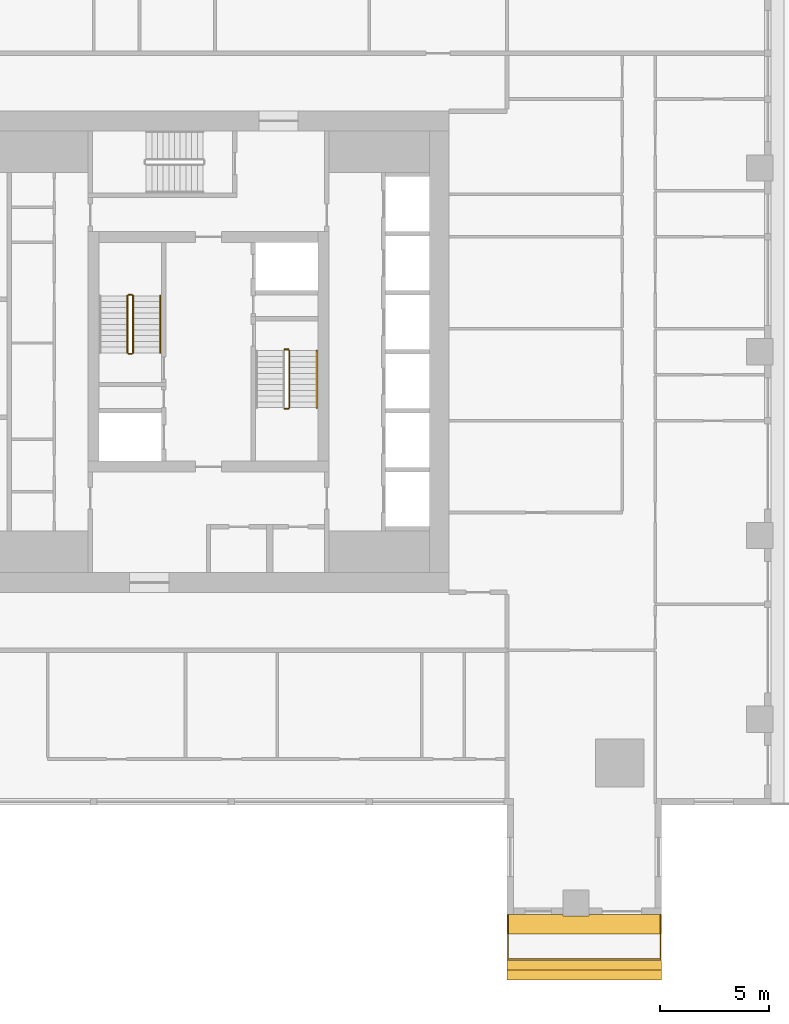
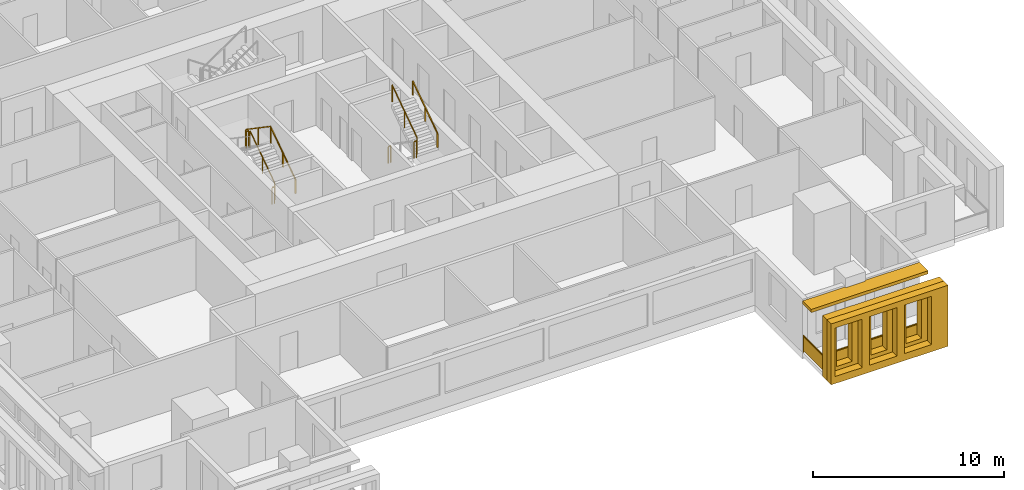
# One storey, part 11 of 14: 10 railings, 3 shading devices.
"""IFC4 building model written with IfcOpenShell, lengths in metres."""

from ifc_helpers import new_model, si_unit, direction, frame, origin, origin_2d, place, context, subcontext, project, spatial, polyline, rectangle, outline, extrude, material, layer, layer_set, type_object, element, save


model = new_model("IFC4")

# Units and contexts
model_context = context("Model", 3, precision=1e-05, world=origin(), true_north=direction((0.0, 1.0)))
body_context = subcontext(model_context, "Body", "Model", "MODEL_VIEW")
ifc_project = project(units=[si_unit("LENGTHUNIT", "METRE"), si_unit("AREAUNIT", "SQUARE_METRE"), si_unit("VOLUMEUNIT", "CUBIC_METRE"), si_unit("PLANEANGLEUNIT", "RADIAN"), si_unit("MASSUNIT", "GRAM", prefix="KILO")], contexts=[model_context])

# Site, building, storey
site_placement = place(None, origin())
site = spatial("IfcSite", under=ifc_project, at=site_placement, CompositionType="ELEMENT")
building_placement = place(site_placement, origin())
building = spatial("IfcBuilding", under=site, at=building_placement, Name="Khepri Terraces", CompositionType="ELEMENT")
storey_placement = place(building_placement, frame((0.0, 0.0, 283.5)))
storey = spatial("IfcBuildingStorey", under=building, at=storey_placement, Name="L68", CompositionType="ELEMENT", Elevation=283.5)

# Railings
ifc_material_1 = material(Name="Stainless steel grade 316", Category="steel")
railing_type_1 = type_object("IfcRailingType", Name="GRD-BAL-1100", PredefinedType="GUARDRAIL", material=ifc_material_1)
railing_1_placement = place(storey_placement, frame((13.699951171875, -25.719970703125, 0.0)))
element("IfcRailing", 1, at=railing_1_placement, inside=storey, type_object=railing_type_1, Name="Balcony guard L68 S", PredefinedType="GUARDRAIL", context=body_context, shape_type="SweptSolid", body=[
    extrude(rectangle(XDim=0.050048828125, YDim=0.06005859375, at=origin_2d()), frame((0.0, 0.0, 1.070068359375), z_axis=(0.0, -1.0, 0.0), x_axis=(1.0, 0.0, 0.0)), (0.0, 0.0, 1.0), 2.050048828125),
    extrude(rectangle(XDim=2.0, YDim=0.011962890625, at=origin_2d()), frame((0.0, -1.02490234375, 0.10009765625), z_axis=(0.0, 0.0, 1.0), x_axis=(0.0, -1.0, 0.0)), (0.0, 0.0, 1.0), 0.93994140625),
    extrude(rectangle(XDim=0.050048828125, YDim=0.06005859375, at=origin_2d()), frame((0.0, -2.050048828125, 1.070068359375), z_axis=(1.0, 0.0, 0.0), x_axis=(0.0, 1.0, 0.0)), (0.0, 0.0, 1.0), 6.969970703125),
    extrude(rectangle(XDim=2.273193359375, YDim=0.011962890625, at=origin_2d()), frame((1.16162109375, -2.050048828125, 0.10009765625), z_axis=(0.0, 0.0, 1.0), x_axis=(1.0, 0.0, 0.0)), (0.0, 0.0, 1.0), 0.93994140625),
    extrude(rectangle(XDim=2.273193359375, YDim=0.011962890625, at=origin_2d()), frame((3.48486328125, -2.050048828125, 0.10009765625), z_axis=(0.0, 0.0, 1.0), x_axis=(1.0, 0.0, 0.0)), (0.0, 0.0, 1.0), 0.93994140625),
    extrude(rectangle(XDim=2.273193359375, YDim=0.011962890625, at=origin_2d()), frame((5.808349609375, -2.050048828125, 0.10009765625), z_axis=(0.0, 0.0, 1.0), x_axis=(1.0, 0.0, 0.0)), (0.0, 0.0, 1.0), 0.93994140625),
    extrude(rectangle(XDim=0.050048828125, YDim=0.06005859375, at=origin_2d()), frame((6.969970703125, -2.050048828125, 1.070068359375), z_axis=(0.0, 1.0, 0.0), x_axis=(-1.0, 0.0, 0.0)), (0.0, 0.0, 1.0), 2.050048828125),
    extrude(rectangle(XDim=2.0, YDim=0.011962890625, at=origin_2d()), frame((6.969970703125, -1.02490234375, 0.10009765625), z_axis=(0.0, 0.0, 1.0), x_axis=(0.0, 1.0, 0.0)), (0.0, 0.0, 1.0), 0.93994140625),
    extrude(rectangle(XDim=0.050048828125, YDim=0.050048828125, at=origin_2d()), origin(), (0.0, 0.0, 1.0), 1.0400390625),
    extrude(rectangle(XDim=0.050048828125, YDim=0.050048828125, at=origin_2d()), frame((0.0, -2.050048828125, 0.0)), (0.0, 0.0, 1.0), 1.0400390625),
    extrude(rectangle(XDim=0.050048828125, YDim=0.050048828125, at=origin_2d()), frame((2.3232421875, -2.050048828125, 0.0)), (0.0, 0.0, 1.0), 1.0400390625),
    extrude(rectangle(XDim=0.050048828125, YDim=0.050048828125, at=origin_2d()), frame((4.646728515625, -2.050048828125, 0.0)), (0.0, 0.0, 1.0), 1.0400390625),
    extrude(rectangle(XDim=0.050048828125, YDim=0.050048828125, at=origin_2d()), frame((6.969970703125, -2.050048828125, 0.0)), (0.0, 0.0, 1.0), 1.0400390625),
    extrude(rectangle(XDim=0.050048828125, YDim=0.050048828125, at=origin_2d()), frame((6.969970703125, 0.0, 0.0)), (0.0, 0.0, 1.0), 1.0400390625),
])
ifc_material_2 = material(Name="Stainless steel 316", Category="steel")
railing_type_2 = type_object("IfcRailingType", Name="RL-CORE-GUARD", PredefinedType="GUARDRAIL", material=ifc_material_2)
railing_2_placement = place(storey_placement, frame((-3.449951171875, -0.050048828125, 0.17724609375)))
element("IfcRailing", 2, at=railing_2_placement, inside=storey, type_object=railing_type_2, Name="L68 ST-1 stair guard 1", PredefinedType="GUARDRAIL", context=body_context, shape_type="SweptSolid", body=[
    extrude(rectangle(XDim=0.050048828125, YDim=0.06005859375, at=origin_2d()), frame((0.0, 0.0, 1.070068359375), z_axis=(0.0, 0.826240473404, 0.563317565952), x_axis=(-1.0, 0.0, 0.0)), (0.0, 0.0, 1.0), 3.14697265625),
    extrude(rectangle(XDim=0.050048828125, YDim=0.050048828125, at=origin_2d()), origin(), (0.0, 0.0, 1.0), 1.0400390625),
    extrude(rectangle(XDim=0.050048828125, YDim=0.050048828125, at=origin_2d()), frame((0.0, 1.300048828125, 0.88623046875)), (0.0, 0.0, 1.0), 1.0400390625),
    extrude(rectangle(XDim=0.050048828125, YDim=0.050048828125, at=origin_2d()), frame((0.0, 2.60009765625, 1.772705078125)), (0.0, 0.0, 1.0), 1.0400390625),
])
railing_3_placement = place(storey_placement, frame((-3.5, 2.60009765625, 1.949951171875)))
element("IfcRailing", 3, at=railing_3_placement, inside=storey, type_object=railing_type_2, Name="L68 ST-1 stair guard 2", PredefinedType="GUARDRAIL", context=body_context, shape_type="SweptSolid", body=[
    extrude(rectangle(XDim=0.050048828125, YDim=0.06005859375, at=origin_2d()), frame((0.0, 0.0, 1.070068359375), z_axis=(-1.0, 0.0, 0.0), x_axis=(0.0, -1.0, 0.0)), (0.0, 0.0, 1.0), 0.14990234375),
    extrude(rectangle(XDim=0.050048828125, YDim=0.050048828125, at=origin_2d()), origin(), (0.0, 0.0, 1.0), 1.0400390625),
    extrude(rectangle(XDim=0.050048828125, YDim=0.050048828125, at=origin_2d()), frame((-0.14990234375, 0.0, 0.0)), (0.0, 0.0, 1.0), 1.0400390625),
])
railing_4_placement = place(storey_placement, frame((-3.699951171875, 2.550048828125, 2.127197265625)))
element("IfcRailing", 4, at=railing_4_placement, inside=storey, type_object=railing_type_2, Name="L68 ST-1 stair guard 3", PredefinedType="GUARDRAIL", context=body_context, shape_type="SweptSolid", body=[
    extrude(rectangle(XDim=0.050048828125, YDim=0.06005859375, at=origin_2d()), frame((0.0, 0.0, 1.070068359375), z_axis=(0.0, -0.826240473404, 0.563317565952), x_axis=(1.0, 0.0, 0.0)), (0.0, 0.0, 1.0), 3.14697265625),
    extrude(rectangle(XDim=0.050048828125, YDim=0.050048828125, at=origin_2d()), origin(), (0.0, 0.0, 1.0), 1.0400390625),
    extrude(rectangle(XDim=0.050048828125, YDim=0.050048828125, at=origin_2d()), frame((0.0, -1.300048828125, 0.88623046875)), (0.0, 0.0, 1.0), 1.0400390625),
    extrude(rectangle(XDim=0.050048828125, YDim=0.050048828125, at=origin_2d()), frame((0.0, -2.60009765625, 1.772705078125)), (0.0, 0.0, 1.0), 1.0400390625),
])
railing_5_placement = place(storey_placement, frame((-3.5, -0.10009765625, 0.0)))
element("IfcRailing", 5, at=railing_5_placement, inside=storey, type_object=railing_type_2, Name="L68 ST-1 stair guard 4", PredefinedType="GUARDRAIL", context=body_context, shape_type="SweptSolid", body=[
    extrude(rectangle(XDim=0.050048828125, YDim=0.06005859375, at=origin_2d()), frame((0.0, 0.0, 1.070068359375), z_axis=(-1.0, 0.0, 0.0), x_axis=(0.0, -1.0, 0.0)), (0.0, 0.0, 1.0), 0.14990234375),
    extrude(rectangle(XDim=0.050048828125, YDim=0.050048828125, at=origin_2d()), origin(), (0.0, 0.0, 1.0), 1.0400390625),
    extrude(rectangle(XDim=0.050048828125, YDim=0.050048828125, at=origin_2d()), frame((-0.14990234375, 0.0, 0.0)), (0.0, 0.0, 1.0), 1.0400390625),
])
railing_6_placement = place(storey_placement, frame((3.5, -2.60009765625, 1.949951171875)))
element("IfcRailing", 6, at=railing_6_placement, inside=storey, type_object=railing_type_2, Name="L68 ST-2 stair guard 2", PredefinedType="GUARDRAIL", context=body_context, shape_type="SweptSolid", body=[
    extrude(rectangle(XDim=0.050048828125, YDim=0.06005859375, at=origin_2d()), frame((0.0, 0.0, 1.070068359375), z_axis=(1.0, 0.0, 0.0), x_axis=(0.0, 1.0, 0.0)), (0.0, 0.0, 1.0), 0.14990234375),
    extrude(rectangle(XDim=0.050048828125, YDim=0.050048828125, at=origin_2d()), origin(), (0.0, 0.0, 1.0), 1.0400390625),
    extrude(rectangle(XDim=0.050048828125, YDim=0.050048828125, at=origin_2d()), frame((0.14990234375, 0.0, 0.0)), (0.0, 0.0, 1.0), 1.0400390625),
])
railing_7_placement = place(storey_placement, frame((3.699951171875, -2.550048828125, 2.127197265625)))
element("IfcRailing", 7, at=railing_7_placement, inside=storey, type_object=railing_type_2, Name="L68 ST-2 stair guard 3", PredefinedType="GUARDRAIL", context=body_context, shape_type="SweptSolid", body=[
    extrude(rectangle(XDim=0.050048828125, YDim=0.06005859375, at=origin_2d()), frame((0.0, 0.0, 1.070068359375), z_axis=(0.0, 0.826240473404, 0.563317565952), x_axis=(-1.0, 0.0, 0.0)), (0.0, 0.0, 1.0), 3.14697265625),
    extrude(rectangle(XDim=0.050048828125, YDim=0.050048828125, at=origin_2d()), origin(), (0.0, 0.0, 1.0), 1.0400390625),
    extrude(rectangle(XDim=0.050048828125, YDim=0.050048828125, at=origin_2d()), frame((0.0, 1.300048828125, 0.88623046875)), (0.0, 0.0, 1.0), 1.0400390625),
    extrude(rectangle(XDim=0.050048828125, YDim=0.050048828125, at=origin_2d()), frame((0.0, 2.60009765625, 1.772705078125)), (0.0, 0.0, 1.0), 1.0400390625),
])
railing_8_placement = place(storey_placement, frame((3.5, 0.10009765625, 0.0)))
element("IfcRailing", 8, at=railing_8_placement, inside=storey, type_object=railing_type_2, Name="L68 ST-2 stair guard 4", PredefinedType="GUARDRAIL", context=body_context, shape_type="SweptSolid", body=[
    extrude(rectangle(XDim=0.050048828125, YDim=0.06005859375, at=origin_2d()), frame((0.0, 0.0, 1.070068359375), z_axis=(1.0, 0.0, 0.0), x_axis=(0.0, 1.0, 0.0)), (0.0, 0.0, 1.0), 0.14990234375),
    extrude(rectangle(XDim=0.050048828125, YDim=0.050048828125, at=origin_2d()), origin(), (0.0, 0.0, 1.0), 1.0400390625),
    extrude(rectangle(XDim=0.050048828125, YDim=0.050048828125, at=origin_2d()), frame((0.14990234375, 0.0, 0.0)), (0.0, 0.0, 1.0), 1.0400390625),
])
railing_type_3 = type_object("IfcRailingType", Name="RL-CORE-HANDRAIL", PredefinedType="HANDRAIL", material=ifc_material_2)
for number, where, name in (
    (9, (-2.199951171875, -0.050048828125, 0.17724609375), "L68 ST-1 stair handrail 1"),
    (10, (4.949951171875, -2.550048828125, 2.127197265625), "L68 ST-2 stair handrail 2"),
):
    element("IfcRailing", number, at=place(storey_placement, frame(where)), inside=storey, type_object=railing_type_3, Name=name, PredefinedType="HANDRAIL", context=body_context, shape_type="SweptSolid", body=[
        extrude(rectangle(XDim=0.050048828125, YDim=0.050048828125, at=origin_2d()), frame((0.0, 0.0, 0.875), z_axis=(0.0, 0.826240473404, 0.563317565952), x_axis=(-1.0, 0.0, 0.0)), (0.0, 0.0, 1.0), 3.14697265625),
        extrude(rectangle(XDim=0.050048828125, YDim=0.050048828125, at=origin_2d()), origin(), (0.0, 0.0, 1.0), 0.849853515625),
        extrude(rectangle(XDim=0.050048828125, YDim=0.050048828125, at=origin_2d()), frame((0.0, 1.300048828125, 0.88623046875)), (0.0, 0.0, 1.0), 0.849853515625),
        extrude(rectangle(XDim=0.050048828125, YDim=0.050048828125, at=origin_2d()), frame((0.0, 2.60009765625, 1.772705078125)), (0.0, 0.0, 1.0), 0.849853515625),
    ])

# Shading devices
ifc_material_3 = material(Name="Precast concrete C50/60 warm stone", Category="masonry")
shading_device_type_1 = type_object("IfcShadingDeviceType", Name="SCR-CELL-INNER-450", PredefinedType="USERDEFINED", material=ifc_material_3)
shading_device_1_placement = place(storey_placement, frame((13.64990234375, -27.820068359375, -0.25), z_axis=(0.0, -1.0, 0.0), x_axis=(1.0, 0.0, 0.0)))
element("IfcShadingDevice", 11, at=shading_device_1_placement, inside=storey, type_object=shading_device_type_1, Name="Cell screen L68 S in", ObjectType="SCREEN", PredefinedType="USERDEFINED", context=body_context, shape_type="SweptSolid", body=[
    extrude(outline(polyline([(0.0, 0.0), (7.070068359375, 0.0), (7.070068359375, 3.89990234375), (0.0, 3.89990234375), (0.0, 0.0)]), holes=[polyline([(0.577392578125, 0.699951171875), (1.5224609375, 0.699951171875), (1.5224609375, 3.300048828125), (0.577392578125, 3.300048828125), (0.577392578125, 0.699951171875)]), polyline([(2.677490234375, 0.699951171875), (3.62255859375, 0.699951171875), (3.62255859375, 3.300048828125), (2.677490234375, 3.300048828125), (2.677490234375, 0.699951171875)]), polyline([(4.777587890625, 0.699951171875), (5.722412109375, 0.699951171875), (5.722412109375, 3.300048828125), (4.777587890625, 3.300048828125), (4.777587890625, 0.699951171875)])]), origin(), (0.0, 0.0, 1.0), 0.449951171875),
])
shading_device_type_2 = type_object("IfcShadingDeviceType", Name="SCR-CELL-OUTER-450", PredefinedType="USERDEFINED", material=ifc_material_3)
shading_device_2_placement = place(storey_placement, frame((13.64990234375, -28.27001953125, -0.25), z_axis=(0.0, -1.0, 0.0), x_axis=(1.0, 0.0, 0.0)))
element("IfcShadingDevice", 12, at=shading_device_2_placement, inside=storey, type_object=shading_device_type_2, Name="Cell screen L68 S out", ObjectType="SCREEN", PredefinedType="USERDEFINED", context=body_context, shape_type="SweptSolid", body=[
    extrude(outline(polyline([(0.0, 0.0), (7.070068359375, 0.0), (7.070068359375, 3.89990234375), (0.0, 3.89990234375), (0.0, 0.0)]), holes=[polyline([(0.2275390625, 0.449951171875), (1.87255859375, 0.449951171875), (1.87255859375, 3.550048828125), (0.2275390625, 3.550048828125), (0.2275390625, 0.449951171875)]), polyline([(2.327392578125, 0.449951171875), (3.972412109375, 0.449951171875), (3.972412109375, 3.550048828125), (2.327392578125, 3.550048828125), (2.327392578125, 0.449951171875)]), polyline([(4.427490234375, 0.449951171875), (6.072509765625, 0.449951171875), (6.072509765625, 3.550048828125), (4.427490234375, 3.550048828125), (4.427490234375, 0.449951171875)])]), origin(), (0.0, 0.0, 1.0), 0.449951171875),
])
ifc_layer = layer(ifc_material_3, 0.199951171875, Name="Precast concrete C50/60 warm stone", Category="masonry")
ifc_layer_set = layer_set([ifc_layer], Name="Precast concrete C50/60 warm stone")
shading_device_type_3 = type_object("IfcShadingDeviceType", Name="SSH-BAND-STONE-200", PredefinedType="USERDEFINED", material=ifc_layer_set)
shading_device_3_placement = place(storey_placement, frame((0.0, 0.0, 3.10009765625)))
element("IfcShadingDevice", 13, at=shading_device_3_placement, inside=storey, type_object=shading_device_type_3, Name="Sunshade band L68 S", ObjectType="SUNSHADE", PredefinedType="USERDEFINED", context=body_context, shape_type="SweptSolid", body=[
    extrude(outline(polyline([(16.199951171875, -25.719970703125), (13.64990234375, -25.719970703125), (13.64990234375, -26.6201171875), (20.719970703125, -26.6201171875), (20.719970703125, -25.719970703125), (17.39990234375, -25.719970703125), (17.39990234375, -25.800048828125), (16.199951171875, -25.800048828125), (16.199951171875, -25.719970703125)])), origin(), (0.0, 0.0, 1.0), 0.199951171875),
])

save(model, "model.ifc")
